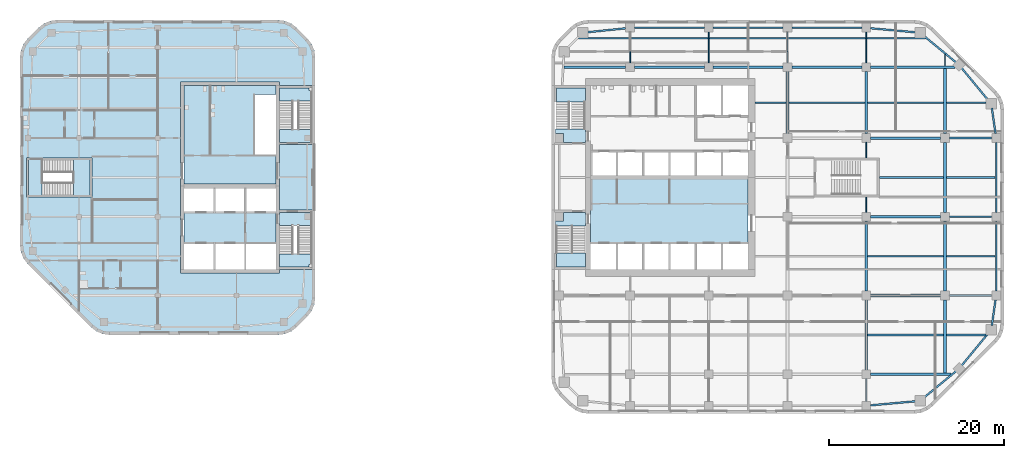
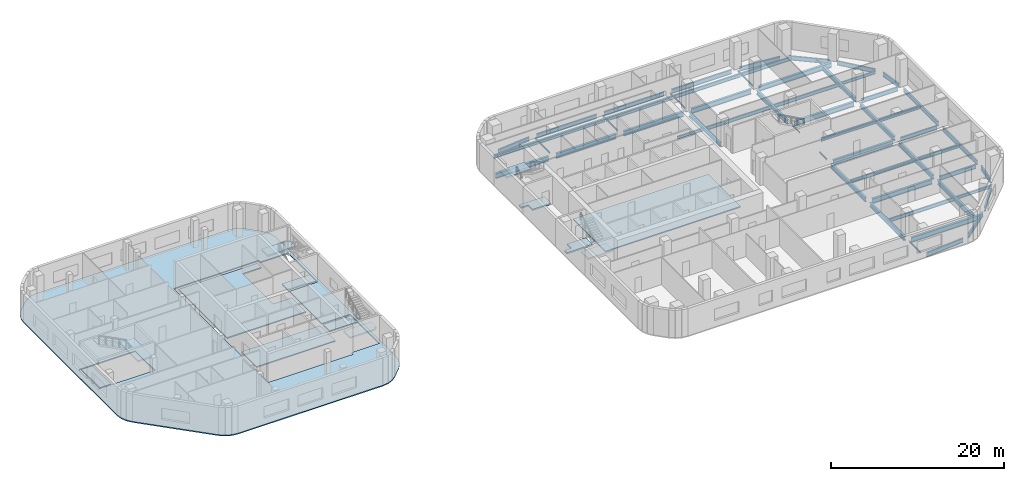
# One storey, part 3 of 15: 57 beams, 14 slabs, 5 elements without a shape of their own.
"""IFC4 building model written with IfcOpenShell, lengths in metres."""

from ifc_helpers import new_model, si_unit, direction, frame, origin, origin_2d, place, context, subcontext, project, spatial, polyline, i_section, outline, extrude, material, layer, layer_set, material_profile, profile_set, type_object, element, aggregate, save


model = new_model("IFC4")

# Units and contexts
model_context = context("Model", 3, precision=1e-05, world=origin(), true_north=direction((0.0, 1.0)))
body_context = subcontext(model_context, "Body", "Model", "MODEL_VIEW")
ifc_project = project(units=[si_unit("LENGTHUNIT", "METRE"), si_unit("AREAUNIT", "SQUARE_METRE"), si_unit("VOLUMEUNIT", "CUBIC_METRE"), si_unit("PLANEANGLEUNIT", "RADIAN"), si_unit("MASSUNIT", "GRAM", prefix="KILO")], contexts=[model_context])

# Site, building, storey
site_placement = place(None, origin())
site = spatial("IfcSite", under=ifc_project, at=site_placement, CompositionType="ELEMENT")
building_placement = place(site_placement, origin())
building = spatial("IfcBuilding", under=site, at=building_placement, Name="Cinnabar Reach Civic Tower", CompositionType="ELEMENT")
storey_placement = place(building_placement, frame((0.0, 0.0, 120.0)))
storey = spatial("IfcBuildingStorey", under=building, at=storey_placement, Name="L28", CompositionType="ELEMENT", Elevation=120.0)

# Beams
ifc_material_1 = material(Name="Steel Q355B", Category="steel")
ifc_material_profile_1 = material_profile(ifc_material_1, i_section(OverallWidth=0.302, OverallDepth=0.594, WebThickness=0.014, FlangeThickness=0.023, FilletRadius=0.016, at=origin_2d()), Name="HM594x302x14x23")
ifc_profile_set_1 = profile_set([ifc_material_profile_1], Name="Steel Q355B")
beam_type_1 = type_object("IfcBeamType", Name="HM594x302x14x23 beam R 180", PredefinedType="BEAM", material=ifc_profile_set_1)
beam_1_placement = place(storey_placement, frame((27.0, 36.502, -0.447), z_axis=(0.0, 1.0, 0.0), x_axis=(-1.0, 0.0, 0.0)))
element("IfcBeam", 1, at=beam_1_placement, inside=storey, type_object=beam_type_1, Name="Girder T1 L28 13", PredefinedType="BEAM", context=body_context, shape_type="SweptSolid", body=[
    extrude(i_section(OverallWidth=0.302, OverallDepth=0.594, WebThickness=0.014, FlangeThickness=0.023, FilletRadius=0.016, at=origin_2d()), origin(), (0.0, 0.0, 1.0), 7.096),
])
for number, where, z_axis, x_axis, name in (
    (2, (36.0, 9.502, -0.447), (0.0, 1.0, 0.0), (-1.0, 0.0, 0.0), "Girder T1 L28 16"),
    (3, (36.0, 18.502, -0.447), (0.0, 1.0, 0.0), (-1.0, 0.0, 0.0), "Girder T1 L28 17"),
):
    element("IfcBeam", number, at=place(storey_placement, frame(where, z_axis=z_axis, x_axis=x_axis)), inside=storey, type_object=beam_type_1, Name=name, PredefinedType="BEAM", context=body_context, shape_type="SweptSolid", body=[
        extrude(i_section(OverallWidth=0.302, OverallDepth=0.594, WebThickness=0.014, FlangeThickness=0.023, FilletRadius=0.016, at=origin_2d()), origin(), (0.0, 0.0, 1.0), 7.996),
    ])
beam_2_placement = place(storey_placement, frame((36.0, 36.502, -0.447), z_axis=(0.0, 1.0, 0.0), x_axis=(-1.0, 0.0, 0.0)))
element("IfcBeam", 4, at=beam_2_placement, inside=storey, type_object=beam_type_1, Name="Girder T1 L28 20", PredefinedType="BEAM", context=body_context, shape_type="SweptSolid", body=[
    extrude(i_section(OverallWidth=0.302, OverallDepth=0.594, WebThickness=0.014, FlangeThickness=0.023, FilletRadius=0.016, at=origin_2d()), origin(), (0.0, 0.0, 1.0), 7.096),
])
beam_3_placement = place(storey_placement, frame((45.0, 9.152, -0.447), z_axis=(0.0, 1.0, 0.0), x_axis=(-1.0, 0.0, 0.0)))
element("IfcBeam", 5, at=beam_3_placement, inside=storey, type_object=beam_type_1, Name="Girder T1 L28 22", PredefinedType="BEAM", context=body_context, shape_type="SweptSolid", body=[
    extrude(i_section(OverallWidth=0.302, OverallDepth=0.594, WebThickness=0.014, FlangeThickness=0.023, FilletRadius=0.016, at=origin_2d()), origin(), (0.0, 0.0, 1.0), 8.346),
])
for number, where, z_axis, x_axis, name in (
    (6, (45.0, 18.502, -0.447), (0.0, 1.0, 0.0), (-1.0, 0.0, 0.0), "Girder T1 L28 23"),
    (7, (45.0, 27.502, -0.447), (0.0, 1.0, 0.0), (-1.0, 0.0, 0.0), "Girder T1 L28 24"),
):
    element("IfcBeam", number, at=place(storey_placement, frame(where, z_axis=z_axis, x_axis=x_axis)), inside=storey, type_object=beam_type_1, Name=name, PredefinedType="BEAM", context=body_context, shape_type="SweptSolid", body=[
        extrude(i_section(OverallWidth=0.302, OverallDepth=0.594, WebThickness=0.014, FlangeThickness=0.023, FilletRadius=0.016, at=origin_2d()), origin(), (0.0, 0.0, 1.0), 7.996),
    ])
beam_4_placement = place(storey_placement, frame((45.0, 36.502, -0.447), z_axis=(0.0, 1.0, 0.0), x_axis=(-1.0, 0.0, 0.0)))
element("IfcBeam", 8, at=beam_4_placement, inside=storey, type_object=beam_type_1, Name="Girder T1 L28 25", PredefinedType="BEAM", context=body_context, shape_type="SweptSolid", body=[
    extrude(i_section(OverallWidth=0.302, OverallDepth=0.594, WebThickness=0.014, FlangeThickness=0.023, FilletRadius=0.016, at=origin_2d()), origin(), (0.0, 0.0, 1.0), 7.446),
])
ifc_material_profile_2 = material_profile(ifc_material_1, i_section(OverallWidth=0.099, OverallDepth=0.198, WebThickness=0.0045, FlangeThickness=0.007, FilletRadius=0.013, at=origin_2d()), Name="HN200x100x5.5x8")
ifc_profile_set_2 = profile_set([ifc_material_profile_2], Name="Steel Q355B")
beam_type_2 = type_object("IfcBeamType", Name="HN200x100x5.5x8 beam R 180", PredefinedType="BEAM", material=ifc_profile_set_2)
for number, where, z_axis, x_axis, name in (
    (9, (9.0, 44.602, -0.249), (0.0, 1.0, 0.0), (-1.0, 0.0, 0.0), "Girder T1 L28 4"),
    (10, (18.0, 44.602, -0.249), (0.0, 1.0, 0.0), (-1.0, 0.0, 0.0), "Girder T1 L28 8"),
    (11, (27.0, 44.602, -0.249), (0.0, 1.0, 0.0), (-1.0, 0.0, 0.0), "Girder T1 L28 14"),
):
    element("IfcBeam", number, at=place(storey_placement, frame(where, z_axis=z_axis, x_axis=x_axis)), inside=storey, type_object=beam_type_2, Name=name, PredefinedType="BEAM", context=body_context, shape_type="SweptSolid", body=[
        extrude(i_section(OverallWidth=0.099, OverallDepth=0.198, WebThickness=0.0045, FlangeThickness=0.007, FilletRadius=0.013, at=origin_2d()), origin(), (0.0, 0.0, 1.0), 3.496),
    ])
beam_5_placement = place(storey_placement, frame((36.0, 5.902, -0.249), z_axis=(0.0, 1.0, 0.0), x_axis=(-1.0, 0.0, 0.0)))
element("IfcBeam", 12, at=beam_5_placement, inside=storey, type_object=beam_type_2, Name="Girder T1 L28 15", PredefinedType="BEAM", context=body_context, shape_type="SweptSolid", body=[
    extrude(i_section(OverallWidth=0.099, OverallDepth=0.198, WebThickness=0.0045, FlangeThickness=0.007, FilletRadius=0.013, at=origin_2d()), origin(), (0.0, 0.0, 1.0), 2.596),
])
for number, where, z_axis, x_axis, name in (
    (13, (36.0, 27.502, -0.249), (0.0, 1.0, 0.0), (-1.0, 0.0, 0.0), "Girder T1 L28 18"),
    (14, (36.0, 33.752, -0.249), (0.0, 1.0, 0.0), (-1.0, 0.0, 0.0), "Girder T1 L28 19"),
):
    element("IfcBeam", number, at=place(storey_placement, frame(where, z_axis=z_axis, x_axis=x_axis)), inside=storey, type_object=beam_type_2, Name=name, PredefinedType="BEAM", context=body_context, shape_type="SweptSolid", body=[
        extrude(i_section(OverallWidth=0.099, OverallDepth=0.198, WebThickness=0.0045, FlangeThickness=0.007, FilletRadius=0.013, at=origin_2d()), origin(), (0.0, 0.0, 1.0), 1.746),
    ])
beam_6_placement = place(storey_placement, frame((36.0, 44.602, -0.249), z_axis=(0.0, 1.0, 0.0), x_axis=(-1.0, 0.0, 0.0)))
element("IfcBeam", 15, at=beam_6_placement, inside=storey, type_object=beam_type_2, Name="Girder T1 L28 21", PredefinedType="BEAM", context=body_context, shape_type="SweptSolid", body=[
    extrude(i_section(OverallWidth=0.099, OverallDepth=0.198, WebThickness=0.0045, FlangeThickness=0.007, FilletRadius=0.013, at=origin_2d()), origin(), (0.0, 0.0, 1.0), 3.496),
])
beam_7_placement = place(storey_placement, frame((45.0, 44.252, -0.249), z_axis=(0.0, 1.0, 0.0), x_axis=(-1.0, 0.0, 0.0)))
element("IfcBeam", 16, at=beam_7_placement, inside=storey, type_object=beam_type_2, Name="Girder T1 L28 26", PredefinedType="BEAM", context=body_context, shape_type="SweptSolid", body=[
    extrude(i_section(OverallWidth=0.099, OverallDepth=0.198, WebThickness=0.0045, FlangeThickness=0.007, FilletRadius=0.013, at=origin_2d()), origin(), (0.0, 0.0, 1.0), 1.3103),
])
ifc_material_profile_3 = material_profile(ifc_material_1, i_section(OverallWidth=0.199, OverallDepth=0.396, WebThickness=0.007, FlangeThickness=0.011, FilletRadius=0.013, at=origin_2d()), Name="HN396x199x7x11")
ifc_profile_set_3 = profile_set([ifc_material_profile_3], Name="Steel Q355B")
beam_type_3 = type_object("IfcBeamType", Name="HN396x199x7x11 beam R 180", PredefinedType="BEAM", material=ifc_profile_set_3)
beam_8_placement = place(storey_placement, frame((45.153, 13.5, -0.348), z_axis=(1.0, 0.0, 0.0), x_axis=(0.0, 1.0, 0.0)))
element("IfcBeam", 17, at=beam_8_placement, inside=storey, type_object=beam_type_3, Name="Secondary beam T1 L28 6", PredefinedType="BEAM", context=body_context, shape_type="SweptSolid", body=[
    extrude(i_section(OverallWidth=0.199, OverallDepth=0.396, WebThickness=0.007, FlangeThickness=0.011, FilletRadius=0.013, at=origin_2d()), origin(), (0.0, 0.0, 1.0), 4.5152),
])
beam_9_placement = place(storey_placement, frame((23.302, 40.05, -0.348), z_axis=(1.0, 0.0, 0.0), x_axis=(0.0, 1.0, 0.0)))
element("IfcBeam", 18, at=beam_9_placement, inside=storey, type_object=beam_type_3, Name="Secondary beam T1 L28 16", PredefinedType="BEAM", context=body_context, shape_type="SweptSolid", body=[
    extrude(i_section(OverallWidth=0.199, OverallDepth=0.396, WebThickness=0.007, FlangeThickness=0.011, FilletRadius=0.013, at=origin_2d()), origin(), (0.0, 0.0, 1.0), 3.545),
])
beam_10_placement = place(storey_placement, frame((45.153, 40.05, -0.348), z_axis=(1.0, 0.0, 0.0), x_axis=(0.0, 1.0, 0.0)))
element("IfcBeam", 19, at=beam_10_placement, inside=storey, type_object=beam_type_3, Name="Secondary beam T1 L28 19", PredefinedType="BEAM", context=body_context, shape_type="SweptSolid", body=[
    extrude(i_section(OverallWidth=0.199, OverallDepth=0.396, WebThickness=0.007, FlangeThickness=0.011, FilletRadius=0.013, at=origin_2d()), origin(), (0.0, 0.0, 1.0), 4.5419),
])
ifc_material_profile_4 = material_profile(ifc_material_1, i_section(OverallWidth=0.199, OverallDepth=0.496, WebThickness=0.009, FlangeThickness=0.014, FilletRadius=0.016, at=origin_2d()), Name="HN496x199x9x14")
ifc_profile_set_4 = profile_set([ifc_material_profile_4], Name="Steel Q355B")
beam_type_4 = type_object("IfcBeamType", Name="HN496x199x9x14 beam R 180", PredefinedType="BEAM", material=ifc_profile_set_4)
for number, where, z_axis, x_axis, name in (
    (20, (36.153, 13.5, -0.398), (1.0, 0.0, 0.0), (0.0, 1.0, 0.0), "Secondary beam T1 L28 5"),
    (21, (36.153, 22.5, -0.398), (1.0, 0.0, 0.0), (0.0, 1.0, 0.0), "Secondary beam T1 L28 9"),
):
    element("IfcBeam", number, at=place(storey_placement, frame(where, z_axis=z_axis, x_axis=x_axis)), inside=storey, type_object=beam_type_4, Name=name, PredefinedType="BEAM", context=body_context, shape_type="SweptSolid", body=[
        extrude(i_section(OverallWidth=0.199, OverallDepth=0.496, WebThickness=0.009, FlangeThickness=0.014, FilletRadius=0.016, at=origin_2d()), origin(), (0.0, 0.0, 1.0), 8.694),
    ])
beam_11_placement = place(storey_placement, frame((45.153, 22.5, -0.398), z_axis=(1.0, 0.0, 0.0), x_axis=(0.0, 1.0, 0.0)))
element("IfcBeam", 22, at=beam_11_placement, inside=storey, type_object=beam_type_4, Name="Secondary beam T1 L28 10", PredefinedType="BEAM", context=body_context, shape_type="SweptSolid", body=[
    extrude(i_section(OverallWidth=0.199, OverallDepth=0.496, WebThickness=0.009, FlangeThickness=0.014, FilletRadius=0.016, at=origin_2d()), origin(), (0.0, 0.0, 1.0), 5.595),
])
beam_12_placement = place(storey_placement, frame((37.502, 31.5, -0.398), z_axis=(1.0, 0.0, 0.0), x_axis=(0.0, 1.0, 0.0)))
element("IfcBeam", 23, at=beam_12_placement, inside=storey, type_object=beam_type_4, Name="Secondary beam T1 L28 14", PredefinedType="BEAM", context=body_context, shape_type="SweptSolid", body=[
    extrude(i_section(OverallWidth=0.199, OverallDepth=0.496, WebThickness=0.009, FlangeThickness=0.014, FilletRadius=0.016, at=origin_2d()), origin(), (0.0, 0.0, 1.0), 7.345),
])
beam_13_placement = place(storey_placement, frame((45.153, 31.5, -0.398), z_axis=(1.0, 0.0, 0.0), x_axis=(0.0, 1.0, 0.0)))
element("IfcBeam", 24, at=beam_13_placement, inside=storey, type_object=beam_type_4, Name="Secondary beam T1 L28 15", PredefinedType="BEAM", context=body_context, shape_type="SweptSolid", body=[
    extrude(i_section(OverallWidth=0.199, OverallDepth=0.496, WebThickness=0.009, FlangeThickness=0.014, FilletRadius=0.016, at=origin_2d()), origin(), (0.0, 0.0, 1.0), 5.595),
])
for number, where, z_axis, x_axis, name in (
    (25, (27.153, 40.05, -0.398), (1.0, 0.0, 0.0), (0.0, 1.0, 0.0), "Secondary beam T1 L28 17"),
    (26, (36.153, 40.05, -0.398), (1.0, 0.0, 0.0), (0.0, 1.0, 0.0), "Secondary beam T1 L28 18"),
):
    element("IfcBeam", number, at=place(storey_placement, frame(where, z_axis=z_axis, x_axis=x_axis)), inside=storey, type_object=beam_type_4, Name=name, PredefinedType="BEAM", context=body_context, shape_type="SweptSolid", body=[
        extrude(i_section(OverallWidth=0.199, OverallDepth=0.496, WebThickness=0.009, FlangeThickness=0.014, FilletRadius=0.016, at=origin_2d()), origin(), (0.0, 0.0, 1.0), 8.694),
    ])
beam_14_placement = place(storey_placement, frame((3.0992, 47.4, -0.398), z_axis=(1.0, 0.0, 0.0), x_axis=(0.0, 1.0, 0.0)))
element("IfcBeam", 27, at=beam_14_placement, inside=storey, type_object=beam_type_4, Name="Secondary beam T1 L28 20", PredefinedType="BEAM", context=body_context, shape_type="SweptSolid", body=[
    extrude(i_section(OverallWidth=0.199, OverallDepth=0.496, WebThickness=0.009, FlangeThickness=0.014, FilletRadius=0.016, at=origin_2d()), origin(), (0.0, 0.0, 1.0), 5.8493),
])
for number, where, z_axis, x_axis, name in (
    (28, (9.0515, 47.4, -0.398), (1.0, 0.0, 0.0), (0.0, 1.0, 0.0), "Secondary beam T1 L28 21"),
    (29, (18.0515, 47.4, -0.398), (1.0, 0.0, 0.0), (0.0, 1.0, 0.0), "Secondary beam T1 L28 22"),
    (30, (27.0515, 47.4, -0.398), (1.0, 0.0, 0.0), (0.0, 1.0, 0.0), "Secondary beam T1 L28 23"),
):
    element("IfcBeam", number, at=place(storey_placement, frame(where, z_axis=z_axis, x_axis=x_axis)), inside=storey, type_object=beam_type_4, Name=name, PredefinedType="BEAM", context=body_context, shape_type="SweptSolid", body=[
        extrude(i_section(OverallWidth=0.199, OverallDepth=0.496, WebThickness=0.009, FlangeThickness=0.014, FilletRadius=0.016, at=origin_2d()), origin(), (0.0, 0.0, 1.0), 8.897),
    ])
beam_15_placement = place(storey_placement, frame((36.0515, 47.4, -0.398), z_axis=(1.0, 0.0, 0.0), x_axis=(0.0, 1.0, 0.0)))
element("IfcBeam", 31, at=beam_15_placement, inside=storey, type_object=beam_type_4, Name="Secondary beam T1 L28 24", PredefinedType="BEAM", context=body_context, shape_type="SweptSolid", body=[
    extrude(i_section(OverallWidth=0.199, OverallDepth=0.496, WebThickness=0.009, FlangeThickness=0.014, FilletRadius=0.016, at=origin_2d()), origin(), (0.0, 0.0, 1.0), 6.7206),
])
ifc_material_profile_5 = material_profile(ifc_material_1, i_section(OverallWidth=0.199, OverallDepth=0.596, WebThickness=0.01, FlangeThickness=0.015, FilletRadius=0.016, at=origin_2d()), Name="HN596x199x10x15")
ifc_profile_set_5 = profile_set([ifc_material_profile_5], Name="Steel Q355B")
beam_type_5 = type_object("IfcBeamType", Name="HN596x199x10x15 beam R 180", PredefinedType="BEAM", material=ifc_profile_set_5)
for number, where, z_axis, x_axis, name in (
    (32, (45.502, 18.0, -0.448), (1.0, 0.0, 0.0), (0.0, 1.0, 0.0), "Girder T1 L28 11"),
    (33, (45.502, 27.0, -0.448), (1.0, 0.0, 0.0), (0.0, 1.0, 0.0), "Girder T1 L28 15"),
    (34, (45.502, 36.0, -0.448), (1.0, 0.0, 0.0), (0.0, 1.0, 0.0), "Girder T1 L28 19"),
):
    element("IfcBeam", number, at=place(storey_placement, frame(where, z_axis=z_axis, x_axis=x_axis)), inside=storey, type_object=beam_type_5, Name=name, PredefinedType="BEAM", context=body_context, shape_type="SweptSolid", body=[
        extrude(i_section(OverallWidth=0.199, OverallDepth=0.596, WebThickness=0.01, FlangeThickness=0.015, FilletRadius=0.016, at=origin_2d()), origin(), (0.0, 0.0, 1.0), 4.846),
    ])
ifc_material_profile_6 = material_profile(ifc_material_1, i_section(OverallWidth=0.2, OverallDepth=0.6, WebThickness=0.011, FlangeThickness=0.017, FilletRadius=0.016, at=origin_2d()), Name="HN600x200x11x17")
ifc_profile_set_6 = profile_set([ifc_material_profile_6], Name="Steel Q355B")
beam_type_6 = type_object("IfcBeamType", Name="HN600x200x11x17 beam R 180", PredefinedType="BEAM", material=ifc_profile_set_6)
beam_16_placement = place(storey_placement, frame((36.502, 5.4452, -0.45), z_axis=(0.995979069281, 0.089586235294, 0.0), x_axis=(-0.089586235294, 0.995979069281, 0.0)))
element("IfcBeam", 35, at=beam_16_placement, inside=storey, type_object=beam_type_6, Name="Edge beam T1 L28 5", PredefinedType="BEAM", context=body_context, shape_type="SweptSolid", body=[
    extrude(i_section(OverallWidth=0.2, OverallDepth=0.6, WebThickness=0.011, FlangeThickness=0.017, FilletRadius=0.016, at=origin_2d()), origin(), (0.0, 0.0, 1.0), 5.1849),
])
for number, where, z_axis, x_axis, name in (
    (36, (42.6301, 6.3507, -0.45), (0.77143827905, 0.6363041581, 0.0), (-0.6363041581, 0.77143827905, 0.0), "Edge beam T1 L28 6"),
    (37, (46.8961, 9.9789, -0.45), (0.6363041581, 0.77143827905, 0.0), (-0.77143827905, 0.6363041581, 0.0), "Edge beam T1 L28 7"),
):
    element("IfcBeam", number, at=place(storey_placement, frame(where, z_axis=z_axis, x_axis=x_axis)), inside=storey, type_object=beam_type_6, Name=name, PredefinedType="BEAM", context=body_context, shape_type="SweptSolid", body=[
        extrude(i_section(OverallWidth=0.2, OverallDepth=0.6, WebThickness=0.011, FlangeThickness=0.017, FilletRadius=0.016, at=origin_2d()), origin(), (0.0, 0.0, 1.0), 4.7198),
    ])
beam_17_placement = place(storey_placement, frame((50.3653, 14.5839, -0.45), z_axis=(0.140489003738, 0.990082238922, 0.0), x_axis=(-0.990082238922, 0.140489003738, 0.0)))
element("IfcBeam", 38, at=beam_17_placement, inside=storey, type_object=beam_type_6, Name="Edge beam T1 L28 8", PredefinedType="BEAM", context=body_context, shape_type="SweptSolid", body=[
    extrude(i_section(OverallWidth=0.2, OverallDepth=0.6, WebThickness=0.011, FlangeThickness=0.017, FilletRadius=0.016, at=origin_2d()), origin(), (0.0, 0.0, 1.0), 2.9433),
])
for number, where, z_axis, x_axis, name in (
    (39, (50.85, 18.502, -0.45), (0.0, 1.0, 0.0), (-1.0, 0.0, 0.0), "Edge beam T1 L28 9"),
    (40, (50.85, 27.502, -0.45), (0.0, 1.0, 0.0), (-1.0, 0.0, 0.0), "Edge beam T1 L28 10"),
):
    element("IfcBeam", number, at=place(storey_placement, frame(where, z_axis=z_axis, x_axis=x_axis)), inside=storey, type_object=beam_type_6, Name=name, PredefinedType="BEAM", context=body_context, shape_type="SweptSolid", body=[
        extrude(i_section(OverallWidth=0.2, OverallDepth=0.6, WebThickness=0.011, FlangeThickness=0.017, FilletRadius=0.016, at=origin_2d()), origin(), (0.0, 0.0, 1.0), 7.996),
    ])
beam_18_placement = place(storey_placement, frame((50.7788, 36.502, -0.45), z_axis=(-0.140489003738, 0.990082238922, 0.0), x_axis=(-0.990082238922, -0.140489003738, 0.0)))
element("IfcBeam", 41, at=beam_18_placement, inside=storey, type_object=beam_type_6, Name="Edge beam T1 L28 11", PredefinedType="BEAM", context=body_context, shape_type="SweptSolid", body=[
    extrude(i_section(OverallWidth=0.2, OverallDepth=0.6, WebThickness=0.011, FlangeThickness=0.017, FilletRadius=0.016, at=origin_2d()), origin(), (0.0, 0.0, 1.0), 2.9433),
])
for number, where, z_axis, x_axis, name in (
    (42, (49.8993, 40.3801, -0.45), (-0.6363041581, 0.77143827905, 0.0), (-0.77143827905, -0.6363041581, 0.0), "Edge beam T1 L28 12"),
    (43, (46.2711, 44.6461, -0.45), (-0.77143827905, 0.6363041581, 0.0), (-0.6363041581, -0.77143827905, 0.0), "Edge beam T1 L28 13"),
):
    element("IfcBeam", number, at=place(storey_placement, frame(where, z_axis=z_axis, x_axis=x_axis)), inside=storey, type_object=beam_type_6, Name=name, PredefinedType="BEAM", context=body_context, shape_type="SweptSolid", body=[
        extrude(i_section(OverallWidth=0.2, OverallDepth=0.6, WebThickness=0.011, FlangeThickness=0.017, FilletRadius=0.016, at=origin_2d()), origin(), (0.0, 0.0, 1.0), 4.7198),
    ])
beam_19_placement = place(storey_placement, frame((41.6661, 48.0903, -0.45), z_axis=(-0.995979069281, 0.089586235294, 0.0), x_axis=(-0.089586235294, -0.995979069281, 0.0)))
element("IfcBeam", 44, at=beam_19_placement, inside=storey, type_object=beam_type_6, Name="Edge beam T1 L28 14", PredefinedType="BEAM", context=body_context, shape_type="SweptSolid", body=[
    extrude(i_section(OverallWidth=0.2, OverallDepth=0.6, WebThickness=0.011, FlangeThickness=0.017, FilletRadius=0.016, at=origin_2d()), origin(), (0.0, 0.0, 1.0), 5.1849),
])
for number, where, z_axis, x_axis, name in (
    (45, (35.498, 48.6, -0.45), (-1.0, 0.0, 0.0), (0.0, -1.0, 0.0), "Edge beam T1 L28 15"),
    (46, (26.498, 48.6, -0.45), (-1.0, 0.0, 0.0), (0.0, -1.0, 0.0), "Edge beam T1 L28 16"),
    (47, (17.498, 48.6, -0.45), (-1.0, 0.0, 0.0), (0.0, -1.0, 0.0), "Edge beam T1 L28 17"),
):
    element("IfcBeam", number, at=place(storey_placement, frame(where, z_axis=z_axis, x_axis=x_axis)), inside=storey, type_object=beam_type_6, Name=name, PredefinedType="BEAM", context=body_context, shape_type="SweptSolid", body=[
        extrude(i_section(OverallWidth=0.2, OverallDepth=0.6, WebThickness=0.011, FlangeThickness=0.017, FilletRadius=0.016, at=origin_2d()), origin(), (0.0, 0.0, 1.0), 7.996),
    ])
beam_20_placement = place(storey_placement, frame((8.498, 48.5486, -0.45), z_axis=(-0.994791228755, -0.101933366432, 0.0), x_axis=(0.101933366432, -0.994791228755, 0.0)))
element("IfcBeam", 48, at=beam_20_placement, inside=storey, type_object=beam_type_6, Name="Edge beam T1 L28 18", PredefinedType="BEAM", context=body_context, shape_type="SweptSolid", body=[
    extrude(i_section(OverallWidth=0.2, OverallDepth=0.6, WebThickness=0.011, FlangeThickness=0.017, FilletRadius=0.016, at=origin_2d()), origin(), (0.0, 0.0, 1.0), 4.4372),
])
ifc_material_profile_7 = material_profile(ifc_material_1, i_section(OverallWidth=0.3, OverallDepth=0.692, WebThickness=0.013, FlangeThickness=0.02, FilletRadius=0.016, at=origin_2d()), Name="HN692x300x13x20")
ifc_profile_set_7 = profile_set([ifc_material_profile_7], Name="Steel Q355B")
beam_type_7 = type_object("IfcBeamType", Name="HN692x300x13x20 beam R 180", PredefinedType="BEAM", material=ifc_profile_set_7)
beam_21_placement = place(storey_placement, frame((36.502, 9.0, -0.496), z_axis=(1.0, 0.0, 0.0), x_axis=(0.0, 1.0, 0.0)))
element("IfcBeam", 49, at=beam_21_placement, inside=storey, type_object=beam_type_7, Name="Girder T1 L28 5", PredefinedType="BEAM", context=body_context, shape_type="SweptSolid", body=[
    extrude(i_section(OverallWidth=0.3, OverallDepth=0.692, WebThickness=0.013, FlangeThickness=0.02, FilletRadius=0.016, at=origin_2d()), origin(), (0.0, 0.0, 1.0), 9.1798),
])
for number, where, z_axis, x_axis, name in (
    (50, (36.502, 18.0, -0.496), (1.0, 0.0, 0.0), (0.0, 1.0, 0.0), "Girder T1 L28 10"),
    (51, (36.502, 27.0, -0.496), (1.0, 0.0, 0.0), (0.0, 1.0, 0.0), "Girder T1 L28 14"),
    (52, (36.502, 36.0, -0.496), (1.0, 0.0, 0.0), (0.0, 1.0, 0.0), "Girder T1 L28 18"),
):
    element("IfcBeam", number, at=place(storey_placement, frame(where, z_axis=z_axis, x_axis=x_axis)), inside=storey, type_object=beam_type_7, Name=name, PredefinedType="BEAM", context=body_context, shape_type="SweptSolid", body=[
        extrude(i_section(OverallWidth=0.3, OverallDepth=0.692, WebThickness=0.013, FlangeThickness=0.02, FilletRadius=0.016, at=origin_2d()), origin(), (0.0, 0.0, 1.0), 7.996),
    ])
beam_22_placement = place(storey_placement, frame((1.4548, 44.1, -0.496), z_axis=(1.0, 0.0, 0.0), x_axis=(0.0, 1.0, 0.0)))
element("IfcBeam", 53, at=beam_22_placement, inside=storey, type_object=beam_type_7, Name="Girder T1 L28 20", PredefinedType="BEAM", context=body_context, shape_type="SweptSolid", body=[
    extrude(i_section(OverallWidth=0.3, OverallDepth=0.692, WebThickness=0.013, FlangeThickness=0.02, FilletRadius=0.016, at=origin_2d()), origin(), (0.0, 0.0, 1.0), 7.0432),
])
for number, where, z_axis, x_axis, name in (
    (54, (9.502, 44.1, -0.496), (1.0, 0.0, 0.0), (0.0, 1.0, 0.0), "Girder T1 L28 21"),
    (55, (18.502, 44.1, -0.496), (1.0, 0.0, 0.0), (0.0, 1.0, 0.0), "Girder T1 L28 22"),
    (56, (27.502, 44.1, -0.496), (1.0, 0.0, 0.0), (0.0, 1.0, 0.0), "Girder T1 L28 23"),
):
    element("IfcBeam", number, at=place(storey_placement, frame(where, z_axis=z_axis, x_axis=x_axis)), inside=storey, type_object=beam_type_7, Name=name, PredefinedType="BEAM", context=body_context, shape_type="SweptSolid", body=[
        extrude(i_section(OverallWidth=0.3, OverallDepth=0.692, WebThickness=0.013, FlangeThickness=0.02, FilletRadius=0.016, at=origin_2d()), origin(), (0.0, 0.0, 1.0), 7.996),
    ])
beam_23_placement = place(storey_placement, frame((36.502, 44.1, -0.496), z_axis=(1.0, 0.0, 0.0), x_axis=(0.0, 1.0, 0.0)))
element("IfcBeam", 57, at=beam_23_placement, inside=storey, type_object=beam_type_7, Name="Girder T1 L28 24", PredefinedType="BEAM", context=body_context, shape_type="SweptSolid", body=[
    extrude(i_section(OverallWidth=0.3, OverallDepth=0.692, WebThickness=0.013, FlangeThickness=0.02, FilletRadius=0.016, at=origin_2d()), origin(), (0.0, 0.0, 1.0), 9.6653),
])

# Slab
ifc_material_2 = material(Name="Concrete C40", Category="concrete")
ifc_layer_1 = layer(ifc_material_2, 0.15)
ifc_layer_set_1 = layer_set([ifc_layer_1], Name="Composite floor slab 150 REI 120")
slab_type_1 = type_object("IfcSlabType", Name="Composite floor slab 150 REI 120", PredefinedType="FLOOR", material=ifc_layer_set_1)
slab_1_placement = place(storey_placement, frame((0.0, 0.0, -0.15)))
element("IfcSlab", 58, at=slab_1_placement, inside=storey, type_object=slab_type_1, Name="Composite floor slab 150 T2 L28", PredefinedType="FLOOR", context=body_context, shape_type="SweptSolid", body=[
    extrude(outline(polyline([(-59.8713, 21.6213), (-60.3481, 22.2426), (-60.6478, 22.9662), (-60.75, 23.7426), (-60.75, 45.2574), (-60.6478, 46.0338), (-60.3481, 46.7574), (-59.8713, 47.3787), (-58.6287, 48.6213), (-58.0074, 49.0981), (-57.2838, 49.3978), (-56.5074, 49.5), (-31.2426, 49.5), (-30.4662, 49.3978), (-29.7426, 49.0981), (-29.1213, 48.6213), (-27.8787, 47.3787), (-27.4019, 46.7574), (-27.1022, 46.0338), (-27.0, 45.2574), (-27.0, 17.7426), (-27.1022, 16.9662), (-27.4019, 16.2426), (-27.8787, 15.6213), (-29.1213, 14.3787), (-29.7426, 13.9019), (-30.4662, 13.6022), (-31.2426, 13.5), (-50.5074, 13.5), (-51.2838, 13.6022), (-52.0074, 13.9019), (-52.6287, 14.3787), (-59.8713, 21.6213)]), holes=[polyline([(-31.1, 27.75), (-31.1, 35.25), (-27.36, 35.25), (-27.36, 42.0), (-31.1, 42.0), (-31.1, 42.4), (-42.4, 42.4), (-42.4, 20.6), (-31.1, 20.6), (-31.1, 21.0), (-27.36, 21.0), (-27.36, 27.75), (-31.1, 27.75)]), polyline([(-60.0, 33.75), (-60.0, 29.25), (-52.5, 29.25), (-52.5, 33.75), (-60.0, 33.75)])]), origin(), (0.0, 0.0, 1.0), 0.15),
])

# Stair, slabs
ifc_material_3 = material(Name="Concrete C40/50", Category="concrete")
stair_type_1 = type_object("IfcStairType", Name="T1 Exit stair, half-turn", PredefinedType="HALF_TURN_STAIR", material=ifc_material_3)
stair_1_placement = place(storey_placement, origin())
stair_1 = element("IfcStair", 59, at=stair_1_placement, inside=storey, type_object=stair_type_1, Name="Stair T1-S1", PredefinedType="HALF_TURN_STAIR")
ifc_layer_2 = layer(ifc_material_3, 0.2)
ifc_layer_set_2 = layer_set([ifc_layer_2], Name="T1 Stair landing 200, Concrete C40/50")
slab_type_2 = type_object("IfcSlabType", Name="T1 Stair landing 200, Concrete C40/50", PredefinedType="LANDING", material=ifc_layer_set_2)
slab_2_placement = place(storey_placement, frame((0.0, 0.0, -0.2)))
slab_2 = element("IfcSlab", 60, at=slab_2_placement, type_object=slab_type_2, Name="T1-S1 landing 1", PredefinedType="LANDING", context=body_context, shape_type="SweptSolid", body=[
    extrude(outline(polyline([(3.9, 27.5), (3.9, 25.95), (0.5, 25.95), (0.5, 26.5), (1.4, 26.5), (1.4, 27.5), (3.9, 27.5)])), origin(), (0.0, 0.0, 1.0), 0.2),
])
slab_3_placement = place(storey_placement, frame((0.0, 0.0, 1.8)))
slab_3 = element("IfcSlab", 61, at=slab_3_placement, type_object=slab_type_2, Name="T1-S1 landing 2", PredefinedType="LANDING", context=body_context, shape_type="SweptSolid", body=[
    extrude(outline(polyline([(0.6, 21.25), (0.6, 22.87), (3.9, 22.87), (3.9, 21.25), (0.6, 21.25)])), origin(), (0.0, 0.0, 1.0), 0.2),
])
aggregate(stair_1, [slab_2, slab_3])

stair_2_placement = place(storey_placement, origin())
stair_2 = element("IfcStair", 62, at=stair_2_placement, inside=storey, type_object=stair_type_1, Name="Stair T1-S2", PredefinedType="HALF_TURN_STAIR")
slab_4_placement = place(storey_placement, frame((0.0, 0.0, -0.2)))
slab_4 = element("IfcSlab", 63, at=slab_4_placement, type_object=slab_type_2, Name="T1-S2 landing 1", PredefinedType="LANDING", context=body_context, shape_type="SweptSolid", body=[
    extrude(outline(polyline([(0.5, 37.05), (3.9, 37.05), (3.9, 35.5), (1.4, 35.5), (1.4, 36.5), (0.5, 36.5), (0.5, 37.05)])), origin(), (0.0, 0.0, 1.0), 0.2),
])
slab_5_placement = place(storey_placement, frame((0.0, 0.0, 1.8)))
slab_5 = element("IfcSlab", 64, at=slab_5_placement, type_object=slab_type_2, Name="T1-S2 landing 2", PredefinedType="LANDING", context=body_context, shape_type="SweptSolid", body=[
    extrude(outline(polyline([(0.6, 40.13), (0.6, 41.75), (3.9, 41.75), (3.9, 40.13), (0.6, 40.13)])), origin(), (0.0, 0.0, 1.0), 0.2),
])
aggregate(stair_2, [slab_4, slab_5])

# Slabs
ifc_layer_3 = layer(ifc_material_3, 0.15)
ifc_layer_set_3 = layer_set([ifc_layer_3], Name="T1 core floor slab 150")
slab_type_3 = type_object("IfcSlabType", Name="T1 core floor slab 150", PredefinedType="FLOOR", material=ifc_layer_set_3)
slab_6_placement = place(storey_placement, frame((0.0, 0.0, -0.15)))
element("IfcSlab", 65, at=slab_6_placement, inside=storey, type_object=slab_type_3, Name="Core floor slab L28", PredefinedType="FLOOR", context=body_context, shape_type="SweptSolid", body=[
    extrude(outline(polyline([(22.5, 24.0), (19.5, 24.0), (16.5, 24.0), (13.5, 24.0), (10.5, 24.0), (7.5, 24.0), (4.5, 24.0), (4.5, 31.5), (7.5, 31.5), (10.5, 31.5), (13.5, 31.5), (16.5, 31.5), (19.5, 31.5), (22.5, 31.5), (22.5, 24.0)])), origin(), (0.0, 0.0, 1.0), 0.15),
])
ifc_layer_4 = layer(ifc_material_2, 0.15)
ifc_layer_set_4 = layer_set([ifc_layer_4], Name="T2 Core floor slab 150")
slab_type_4 = type_object("IfcSlabType", Name="T2 Core floor slab 150", PredefinedType="FLOOR", material=ifc_layer_set_4)
slab_7_placement = place(storey_placement, frame((0.0, 0.0, -0.15)))
element("IfcSlab", 66, at=slab_7_placement, inside=storey, type_object=slab_type_4, Name="Core floor slab L28", PredefinedType="FLOOR", context=body_context, shape_type="SweptSolid", body=[
    extrude(outline(polyline([(-42.0, 42.0), (-31.5, 42.0), (-31.5, 41.0), (-34.0, 41.0), (-34.0, 34.0), (-31.5, 34.0), (-31.5, 30.75), (-42.0, 30.75), (-42.0, 42.0)])), origin(), (0.0, 0.0, 1.0), 0.15),
])
slab_8_placement = place(storey_placement, frame((0.0, 0.0, -0.15)))
element("IfcSlab", 67, at=slab_8_placement, inside=storey, type_object=slab_type_4, Name="Core floor slab L28", PredefinedType="FLOOR", context=body_context, shape_type="SweptSolid", body=[
    extrude(outline(polyline([(-35.0, 24.0), (-38.5, 24.0), (-42.0, 24.0), (-42.0, 27.5), (-38.5, 27.5), (-35.0, 27.5), (-31.5, 27.5), (-31.5, 24.0), (-35.0, 24.0)])), origin(), (0.0, 0.0, 1.0), 0.15),
])

# Stair, slabs
stair_type_2 = type_object("IfcStairType", Name="T2 Exit stair 1500", PredefinedType="HALF_TURN_STAIR", material=ifc_material_2)
stair_3_placement = place(storey_placement, origin())
stair_3 = element("IfcStair", 68, at=stair_3_placement, inside=storey, type_object=stair_type_2, Name="Exit stair 1", PredefinedType="HALF_TURN_STAIR")
ifc_layer_5 = layer(ifc_material_2, 0.2)
ifc_layer_set_5 = layer_set([ifc_layer_5], Name="T2 Stair landing 200")
slab_type_5 = type_object("IfcSlabType", Name="T2 Stair landing 200", PredefinedType="LANDING", material=ifc_layer_set_5)
slab_9_placement = place(storey_placement, frame((0.0, 0.0, -0.2)))
slab_9 = element("IfcSlab", 69, at=slab_9_placement, type_object=slab_type_5, Name="ST1 landing 1", PredefinedType="LANDING", context=body_context, shape_type="SweptSolid", body=[
    extrude(outline(polyline([(-31.1, 26.0), (-31.1, 27.5), (-27.4, 27.5), (-27.4, 26.0), (-31.1, 26.0)])), origin(), (0.0, 0.0, 1.0), 0.2),
])
slab_10_placement = place(storey_placement, frame((0.0, 0.0, 1.8)))
slab_10 = element("IfcSlab", 70, at=slab_10_placement, type_object=slab_type_5, Name="ST1 landing 2", PredefinedType="LANDING", context=body_context, shape_type="SweptSolid", body=[
    extrude(outline(polyline([(-31.1, 21.25), (-31.1, 22.75), (-27.4, 22.75), (-27.4, 21.55), (-27.7, 21.55), (-27.7, 21.25), (-31.1, 21.25)])), origin(), (0.0, 0.0, 1.0), 0.2),
])
aggregate(stair_3, [slab_9, slab_10])

stair_4_placement = place(storey_placement, origin())
stair_4 = element("IfcStair", 71, at=stair_4_placement, inside=storey, type_object=stair_type_2, Name="Exit stair 2", PredefinedType="HALF_TURN_STAIR")
slab_11_placement = place(storey_placement, frame((0.0, 0.0, -0.2)))
slab_11 = element("IfcSlab", 72, at=slab_11_placement, type_object=slab_type_5, Name="ST2 landing 1", PredefinedType="LANDING", context=body_context, shape_type="SweptSolid", body=[
    extrude(outline(polyline([(-31.1, 35.5), (-31.1, 37.0), (-27.4, 37.0), (-27.4, 35.5), (-31.1, 35.5)])), origin(), (0.0, 0.0, 1.0), 0.2),
])
slab_12_placement = place(storey_placement, frame((0.0, 0.0, 1.8)))
slab_12 = element("IfcSlab", 73, at=slab_12_placement, type_object=slab_type_5, Name="ST2 landing 2", PredefinedType="LANDING", context=body_context, shape_type="SweptSolid", body=[
    extrude(outline(polyline([(-27.4, 40.25), (-31.1, 40.25), (-31.1, 41.75), (-27.7, 41.75), (-27.7, 41.45), (-27.4, 41.45), (-27.4, 40.25)])), origin(), (0.0, 0.0, 1.0), 0.2),
])
aggregate(stair_4, [slab_11, slab_12])

stair_5_placement = place(storey_placement, origin())
stair_5 = element("IfcStair", 74, at=stair_5_placement, inside=storey, type_object=stair_type_2, Name="Exit stair 3", PredefinedType="HALF_TURN_STAIR")
slab_13_placement = place(storey_placement, frame((0.0, 0.0, -0.2)))
slab_13 = element("IfcSlab", 75, at=slab_13_placement, type_object=slab_type_5, Name="ST3 landing 1", PredefinedType="LANDING", context=body_context, shape_type="SweptSolid", body=[
    extrude(outline(polyline([(-59.75, 29.375), (-59.75, 33.625), (-58.25, 33.625), (-58.25, 29.375), (-59.75, 29.375)])), origin(), (0.0, 0.0, 1.0), 0.2),
])
slab_14_placement = place(storey_placement, frame((0.0, 0.0, 1.8)))
slab_14 = element("IfcSlab", 76, at=slab_14_placement, type_object=slab_type_5, Name="ST3 landing 2", PredefinedType="LANDING", context=body_context, shape_type="SweptSolid", body=[
    extrude(outline(polyline([(-54.65, 29.375), (-54.65, 33.625), (-52.75, 33.625), (-52.75, 29.375), (-54.65, 29.375)])), origin(), (0.0, 0.0, 1.0), 0.2),
])
aggregate(stair_5, [slab_13, slab_14])

save(model, "model.ifc")
